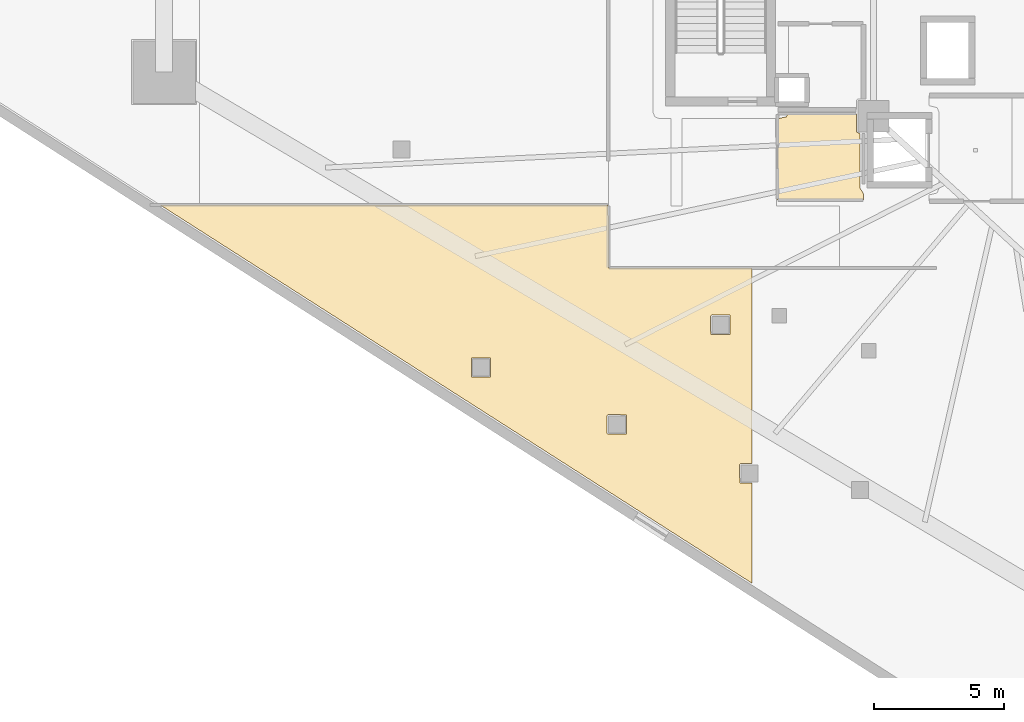
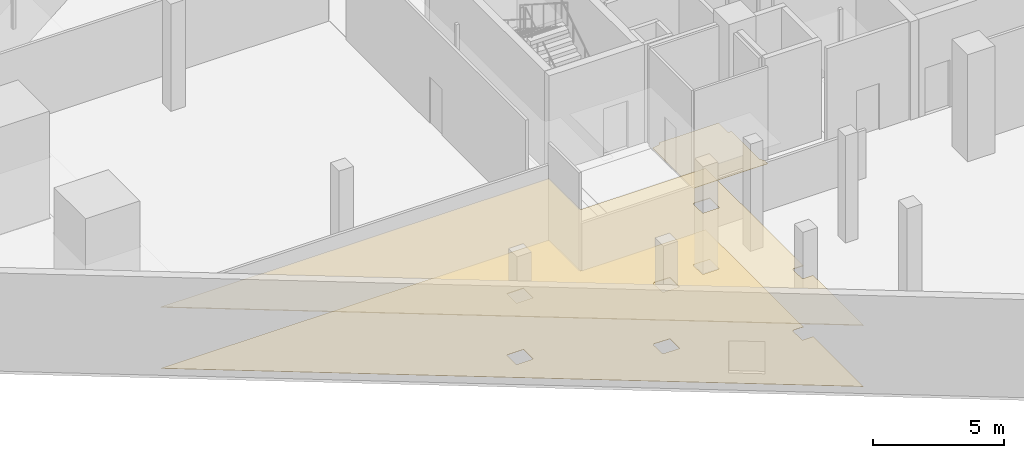
# One storey, part 37 of 43: 3 coverings.
"""IFC4 building model written with IfcOpenShell, lengths in metres."""

import ifcopenshell
import ifcopenshell.guid

model = None  # the IFC model being written
_history = None  # IfcOwnerHistory: only IFC2X3 demands one
_inside = {}  # id of a spatial element -> (the spatial element, [elements in it])
_under = {}  # id of a project, library or spatial element -> (it, [spatial elements below it])
_declared = {}  # id of a project -> (the project, [libraries it declares])
_typed = {}  # id of a type object -> (the type object, [elements of that type])
_made_of = {}  # id of a material, layer set ... -> (it, [elements and type objects made of it])


def new_model(schema):
    """Start an empty IFC model of exactly this schema.

    Asked for "IFC4X3", IfcOpenShell would pick the latest addendum, in which some entities
    have other attributes; the version numbers below select the first issue.
    IFC2X3 requires an IfcOwnerHistory on every rooted entity: one is made here for all.
    """
    global model, _history
    if schema == "IFC4X3":
        model = ifcopenshell.file(schema_version=(4, 3, 0, 0))
    else:
        model = ifcopenshell.file(schema=schema)
    _inside.clear()
    _under.clear()
    _declared.clear()
    _typed.clear()
    _made_of.clear()
    _history = None
    if model.schema == "IFC2X3":
        org = make("IfcOrganization", Name="unknown")
        user = make(
            "IfcPersonAndOrganization",
            ThePerson=make("IfcPerson", FamilyName="unknown"),
            TheOrganization=org,
        )
        app = make(
            "IfcApplication",
            ApplicationDeveloper=org,
            Version="unknown",
            ApplicationFullName="unknown",
            ApplicationIdentifier="unknown",
        )
        _history = make(
            "IfcOwnerHistory",
            OwningUser=user,
            OwningApplication=app,
            ChangeAction="ADDED",
            CreationDate=0,
        )
    return model


def make(cls, **values):
    """One entity of the class cls with the attributes given. An attribute that is None is left unset."""
    return model.create_entity(
        cls, **{name: value for name, value in values.items() if value is not None}
    )


def rooted(cls, **values):
    """An entity with a GlobalId (a new one), such as an element, a storey or a relation."""
    return make(cls, GlobalId=ifcopenshell.guid.new(), OwnerHistory=_history, **values)


def si_unit(unit_type, name, prefix=None):
    """IfcSIUnit, for example si_unit("LENGTHUNIT", "METRE", prefix="MILLI")."""
    return make("IfcSIUnit", UnitType=unit_type, Prefix=prefix, Name=name)


def assignment(units):
    """IfcUnitAssignment: the units of a project."""
    return None if units is None else make("IfcUnitAssignment", Units=units)


def point(xyz):
    """IfcCartesianPoint."""
    return None if xyz is None else make("IfcCartesianPoint", Coordinates=xyz)


def direction(xyz):
    """IfcDirection."""
    return None if xyz is None else make("IfcDirection", DirectionRatios=xyz)


def frame(location, z_axis=None, x_axis=None):
    """IfcAxis2Placement3D, a coordinate frame: its origin and axes. An axis left out is left unset."""
    return make(
        "IfcAxis2Placement3D",
        Location=point(location),
        Axis=direction(z_axis),
        RefDirection=direction(x_axis),
    )


def origin():
    """The frame at (0, 0, 0) with its axes left unset."""
    return frame((0.0, 0.0, 0.0))


def place(relative_to, where):
    """IfcLocalPlacement: puts the frame where relative to a parent placement (None: the world)."""
    return make(
        "IfcLocalPlacement", PlacementRelTo=relative_to, RelativePlacement=where
    )


def context(
    kind, dimensions, precision=None, world=None, true_north=None, identifier=None
):
    """IfcGeometricRepresentationContext, for example the 3D "Model" context."""
    return make(
        "IfcGeometricRepresentationContext",
        ContextIdentifier=identifier,
        ContextType=kind,
        CoordinateSpaceDimension=dimensions,
        Precision=precision,
        WorldCoordinateSystem=world,
        TrueNorth=true_north,
    )


def subcontext(parent, identifier, kind, view, scale=None):
    """IfcGeometricRepresentationSubContext, for example "Body" below "Model"."""
    return make(
        "IfcGeometricRepresentationSubContext",
        ContextIdentifier=identifier,
        ContextType=kind,
        ParentContext=parent,
        TargetScale=scale,
        TargetView=view,
    )


def project(units=None, contexts=None):
    """IfcProject with its units and contexts."""
    return rooted(
        "IfcProject",
        Name="project",
        RepresentationContexts=contexts,
        UnitsInContext=assignment(units),
    )


def spatial(cls, under=None, at=None, **own):
    """A site, building, storey or space (cls), placed at a placement, below another one or the project."""
    s = rooted(cls, ObjectPlacement=at, **own)
    if under is not None:
        _under.setdefault(under.id(), (under, []))[1].append(s)
    return s


def polyline(points):
    """IfcPolyline through the points."""
    return make("IfcPolyline", Points=[point(p) for p in points])


def outline(outer, holes=None, kind="AREA"):
    """IfcArbitraryClosedProfileDef: a profile drawn as a closed curve; with holes, ...WithVoids."""
    if holes is None:
        return make("IfcArbitraryClosedProfileDef", ProfileType=kind, OuterCurve=outer)
    return make(
        "IfcArbitraryProfileDefWithVoids",
        ProfileType=kind,
        OuterCurve=outer,
        InnerCurves=holes,
    )


def extrude(swept, where, along, depth):
    """IfcExtrudedAreaSolid: the profile swept, set in the frame where, extruded along a direction by depth."""
    return make(
        "IfcExtrudedAreaSolid",
        SweptArea=swept,
        Position=where,
        ExtrudedDirection=direction(along),
        Depth=depth,
    )


def shape(context_of_items, identifier, shape_type, items):
    """IfcShapeRepresentation: the items that make up one representation, for example the "Body"."""
    return make(
        "IfcShapeRepresentation",
        ContextOfItems=context_of_items,
        RepresentationIdentifier=identifier,
        RepresentationType=shape_type,
        Items=items,
    )


def material(Name=None, Category=None):
    """IfcMaterial."""
    return make("IfcMaterial", Name=Name, Category=Category)


def layer(
    of_material, thickness, ventilated=None, Name=None, Category=None, Priority=None
):
    """IfcMaterialLayer: one layer of a wall or slab, of a material (None: an air gap)."""
    return make(
        "IfcMaterialLayer",
        Material=of_material,
        LayerThickness=thickness,
        IsVentilated=ventilated,
        Name=Name,
        Category=Category,
        Priority=Priority,
    )


def layer_set(layers, Name=None):
    """IfcMaterialLayerSet."""
    return make("IfcMaterialLayerSet", MaterialLayers=layers, LayerSetName=Name)


def made_of(thing, what):
    """Note that an element or type object is made of a material, layer set ...; save() writes the relation."""
    if what is not None:
        _made_of.setdefault(what.id(), (what, []))[1].append(thing)
    return thing


def type_object(cls, material=None, **own):
    """A type object (cls), such as IfcWallType, which elements share."""
    return made_of(rooted(cls, **own), material)


def element(
    cls,
    number,
    at=None,
    inside=None,
    cuts=None,
    type_object=None,
    material=None,
    context=None,
    identifier="Body",
    shape_type=None,
    held_by="IfcProductDefinitionShape",
    body=None,
    shapes=None,
    **own,
):
    """One element of the class cls, such as IfcWall. Its Tag is "e" and its number.

    at: its placement. inside: the storey or other place that contains it. cuts: it is an
    opening in that element (IfcRelVoidsElement). A single representation is given by context,
    identifier, shape_type and body (its items); several are given by shapes. held_by: the class
    of the entity that holds the representations. save() writes the other relations.
    """
    e = rooted(cls, Tag="e%d" % number, ObjectPlacement=at, **own)
    if body is not None:
        shapes = [shape(context, identifier, shape_type, body)]
    if shapes is not None:
        e.Representation = make(held_by, Representations=shapes)
    if inside is not None:
        _inside.setdefault(inside.id(), (inside, []))[1].append(e)
    if cuts is not None:
        rooted(
            "IfcRelVoidsElement", RelatingBuildingElement=cuts, RelatedOpeningElement=e
        )
    if type_object is not None:
        _typed.setdefault(type_object.id(), (type_object, []))[1].append(e)
    return made_of(e, material)


def aggregate(whole, parts):
    """IfcRelAggregates: a whole, such as a stair, and the parts it consists of."""
    return rooted("IfcRelAggregates", RelatingObject=whole, RelatedObjects=parts)


def save(model, path):
    """Write the relations noted so far, then the file.

    IfcRelAggregates (storeys below a building ...), IfcRelContainedInSpatialStructure (elements
    in a storey), IfcRelDefinesByType, IfcRelAssociatesMaterial and IfcRelDeclares: one each for
    every whole, place, type object, material and project.
    """
    for whole, parts in _under.values():
        aggregate(whole, parts)
    for where, things in _inside.values():
        rooted(
            "IfcRelContainedInSpatialStructure",
            RelatedElements=things,
            RelatingStructure=where,
        )
    for kind, things in _typed.values():
        rooted("IfcRelDefinesByType", RelatedObjects=things, RelatingType=kind)
    for what, things in _made_of.values():
        rooted("IfcRelAssociatesMaterial", RelatedObjects=things, RelatingMaterial=what)
    for by, libraries in _declared.values():
        rooted("IfcRelDeclares", RelatingContext=by, RelatedDefinitions=libraries)
    model.write(path)


model = new_model("IFC4")

# Units and contexts
model_context = context("Model", 3, precision=1e-05, world=origin(), true_north=direction((0.0, 1.0)))
body_context = subcontext(model_context, "Body", "Model", "MODEL_VIEW")
ifc_project = project(units=[si_unit("LENGTHUNIT", "METRE"), si_unit("AREAUNIT", "SQUARE_METRE"), si_unit("VOLUMEUNIT", "CUBIC_METRE"), si_unit("PLANEANGLEUNIT", "RADIAN"), si_unit("MASSUNIT", "GRAM", prefix="KILO")], contexts=[model_context])

# Site, building, storey
site_placement = place(None, origin())
site = spatial("IfcSite", under=ifc_project, at=site_placement, CompositionType="ELEMENT")
building_placement = place(site_placement, origin())
building = spatial("IfcBuilding", under=site, at=building_placement, Name="Qorvath Tower", CompositionType="ELEMENT")
storey_placement = place(building_placement, frame((0.0, 0.0, 22.0)))
storey = spatial("IfcBuildingStorey", under=building, at=storey_placement, Name="L04", CompositionType="ELEMENT", Elevation=22.0)

# Coverings
ifc_material_1 = material(Name="Acoustic mineral fibre ceiling tile", Category="gypsum")
ifc_layer_1 = layer(ifc_material_1, 0.030029296875)
ifc_layer_set_1 = layer_set([ifc_layer_1], Name="COV-CEIL")
covering_type_1 = type_object("IfcCoveringType", Name="COV-CEIL", PredefinedType="CEILING", material=ifc_layer_set_1)
covering_1_placement = place(storey_placement, frame((0.0, 0.0, 2.85009765625)))
element("IfcCovering", 1, at=covering_1_placement, inside=storey, type_object=covering_type_1, Name="L04 Suspended Acoustic Ceiling 012", PredefinedType="CEILING", context=body_context, shape_type="SweptSolid", body=[
    extrude(outline(polyline([(-35.147705078125, -23.04248046875), (-35.147705078125, -19.19677734375), (-35.619140625, -19.19677734375), (-35.63671875, -18.50439453125), (-35.57666015625, -18.4443359375), (-35.147705078125, -18.455078125), (-35.147705078125, -10.962890625), (-40.657958984375, -10.962890625), (-40.6630859375, -8.554931640625), (-57.815185546875, -8.554931640625), (-35.147705078125, -23.04248046875)]), holes=[polyline([(-36.749755859375, -12.810546875), (-36.689697265625, -12.75048828125), (-35.997314453125, -12.76806640625), (-35.997314453125, -13.5029296875), (-36.732177734375, -13.5029296875), (-36.749755859375, -12.810546875)]), polyline([(-40.717529296875, -16.630859375), (-40.657470703125, -16.57080078125), (-39.965087890625, -16.58837890625), (-39.965087890625, -17.3232421875), (-40.699951171875, -17.3232421875), (-40.717529296875, -16.630859375)]), polyline([(-45.90380859375, -14.4072265625), (-45.1689453125, -14.4072265625), (-45.1689453125, -15.14208984375), (-45.90380859375, -15.14208984375), (-45.90380859375, -14.4072265625)])]), origin(), (0.0, 0.0, 1.0), 0.030029296875),
])
ifc_material_2 = material(Name="Low-VOC modular carpet tile", Category="textile")
ifc_layer_2 = layer(ifc_material_2, 0.014892578125)
ifc_layer_set_2 = layer_set([ifc_layer_2], Name="COV-FLOOR-CPT")
covering_type_2 = type_object("IfcCoveringType", Name="COV-FLOOR-CPT", PredefinedType="FLOORING", material=ifc_layer_set_2)
covering_2_placement = place(storey_placement, origin())
element("IfcCovering", 2, at=covering_2_placement, inside=storey, type_object=covering_type_2, Name="L04 Floor Finish 012", PredefinedType="FLOORING", context=body_context, shape_type="SweptSolid", body=[
    extrude(outline(polyline([(-35.147705078125, -23.04248046875), (-35.147705078125, -19.19677734375), (-35.619140625, -19.19677734375), (-35.63671875, -18.50439453125), (-35.57666015625, -18.4443359375), (-35.147705078125, -18.455078125), (-35.147705078125, -10.962890625), (-40.657958984375, -10.962890625), (-40.6630859375, -8.554931640625), (-57.815185546875, -8.554931640625), (-35.147705078125, -23.04248046875)]), holes=[polyline([(-36.749755859375, -12.810546875), (-36.689697265625, -12.75048828125), (-35.997314453125, -12.76806640625), (-35.997314453125, -13.5029296875), (-36.732177734375, -13.5029296875), (-36.749755859375, -12.810546875)]), polyline([(-40.717529296875, -16.630859375), (-40.657470703125, -16.57080078125), (-39.965087890625, -16.58837890625), (-39.965087890625, -17.3232421875), (-40.699951171875, -17.3232421875), (-40.717529296875, -16.630859375)]), polyline([(-45.90380859375, -14.4072265625), (-45.1689453125, -14.4072265625), (-45.1689453125, -15.14208984375), (-45.90380859375, -15.14208984375), (-45.90380859375, -14.4072265625)])]), origin(), (0.0, 0.0, 1.0), 0.014892578125),
])
ifc_material_3 = material(Name="Polished epoxy terrazzo flooring", Category="concrete")
ifc_layer_3 = layer(ifc_material_3, 0.02001953125)
ifc_layer_set_3 = layer_set([ifc_layer_3], Name="COV-FLOOR-TRZ")
covering_type_3 = type_object("IfcCoveringType", Name="COV-FLOOR-TRZ", PredefinedType="FLOORING", material=ifc_layer_set_3)
covering_3_placement = place(storey_placement, origin())
element("IfcCovering", 3, at=covering_3_placement, inside=storey, type_object=covering_type_3, Name="L04 Floor Finish 005", PredefinedType="FLOORING", context=body_context, shape_type="SweptSolid", body=[
    extrude(outline(polyline([(-31.159912109375, -5.054931640625), (-33.786865234375, -5.054931640625), (-33.833251953125, -5.166748046875), (-34.175048828125, -5.239990234375), (-34.175048828125, -8.344970703125), (-30.885009765625, -8.344970703125), (-30.885009765625, -8.108154296875), (-31.010009765625, -7.909912109375), (-31.010009765625, -5.81005859375), (-31.159912109375, -5.75), (-31.159912109375, -5.054931640625)])), origin(), (0.0, 0.0, 1.0), 0.014892578125),
])

save(model, "model.ifc")
